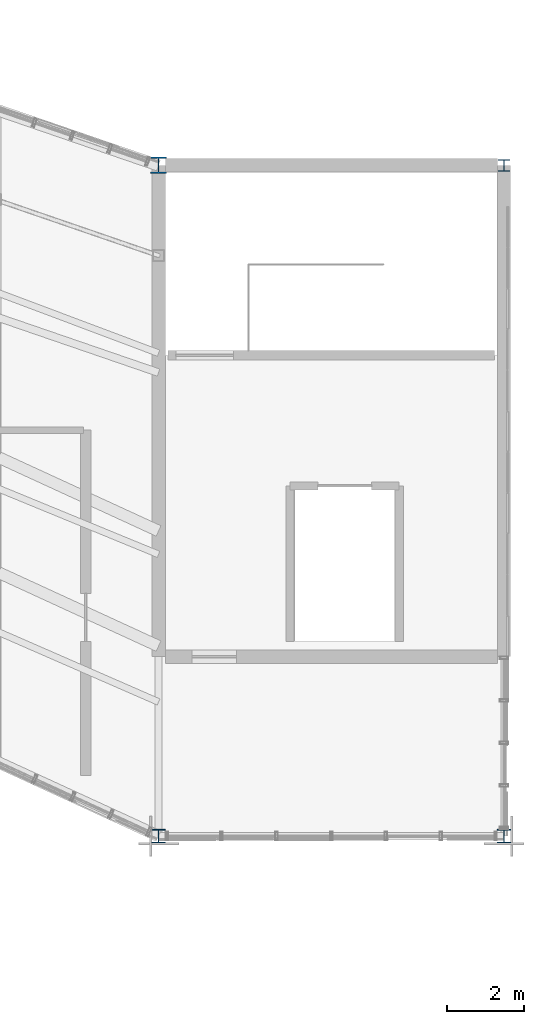
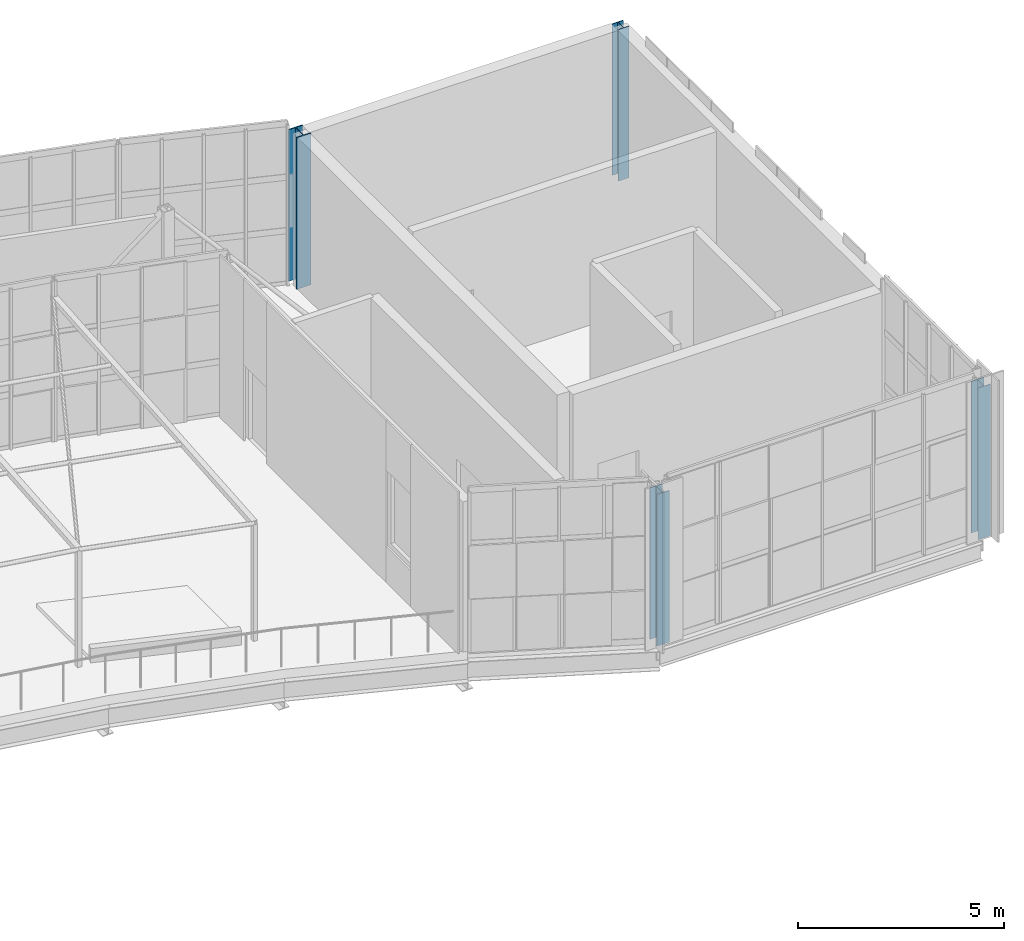
# One storey, part 2 of 35: 4 columns.
"""IFC4 building model written with IfcOpenShell, lengths in metres."""

from ifc_helpers import new_model, si_unit, direction, frame, origin, origin_2d, place, context, subcontext, project, spatial, i_section, extrude, material, material_profile, profile_set, type_object, element, save


model = new_model("IFC4")

# Units and contexts
model_context = context("Model", 3, precision=1e-05, world=origin(), true_north=direction((0.0, 1.0)))
body_context = subcontext(model_context, "Body", "Model", "MODEL_VIEW")
ifc_project = project(units=[si_unit("LENGTHUNIT", "METRE"), si_unit("AREAUNIT", "SQUARE_METRE"), si_unit("VOLUMEUNIT", "CUBIC_METRE"), si_unit("PLANEANGLEUNIT", "RADIAN"), si_unit("MASSUNIT", "GRAM", prefix="KILO")], contexts=[model_context])

# Site, building, storey
site_placement = place(None, origin())
site = spatial("IfcSite", under=ifc_project, at=site_placement, CompositionType="ELEMENT")
building_placement = place(site_placement, origin())
building = spatial("IfcBuilding", under=site, at=building_placement, Name="Solvikara Media Centre", CompositionType="ELEMENT")
storey_placement = place(building_placement, frame((0.0, 0.0, 29.39990234375)))
storey = spatial("IfcBuildingStorey", under=building, at=storey_placement, Name="L06", CompositionType="ELEMENT", Elevation=29.39990234375)

# Columns
ifc_material = material(Name="Steel S355JR", Category="steel")
ifc_material_profile_1 = material_profile(ifc_material, i_section(OverallWidth=0.406982421875, OverallDepth=0.427978515625, WebThickness=0.02001953125, FlangeThickness=0.034912109375, at=origin_2d()), Name="H 428x407x20x35")
ifc_profile_set_1 = profile_set([ifc_material_profile_1], Name="Steel S355JR")
column_type_1 = type_object("IfcColumnType", Name="CL-20", PredefinedType="COLUMN", material=ifc_profile_set_1)
column_1_placement = place(storey_placement, frame((127.5, 36.800048828125, 0.0), z_axis=(0.0, 0.0, 1.0), x_axis=(1.0, 0.0, 0.0)))
element("IfcColumn", 1, at=column_1_placement, inside=storey, type_object=column_type_1, Name="C-L06-1275-0368", PredefinedType="COLUMN", context=body_context, shape_type="SweptSolid", body=[
    extrude(i_section(OverallWidth=0.406982421875, OverallDepth=0.427978515625, WebThickness=0.02001953125, FlangeThickness=0.034912109375, at=origin_2d()), origin(), (0.0, 0.0, 1.0), 4.489990234375),
])
ifc_material_profile_2 = material_profile(ifc_material, i_section(OverallWidth=0.35009765625, OverallDepth=0.35009765625, WebThickness=0.011962890625, FlangeThickness=0.01904296875, at=origin_2d()), Name="H 350x350x12x19")
ifc_profile_set_2 = profile_set([ifc_material_profile_2], Name="Steel S355JR")
column_type_2 = type_object("IfcColumnType", Name="CL-21", PredefinedType="COLUMN", material=ifc_profile_set_2)
for number, where, z_axis, x_axis, name in (
    (2, (136.5, 19.323974609375, 0.0), (0.0, 0.0, 1.0), (1.0, 0.0, 0.0), "C-L06-1365-0193"),
    (3, (127.5, 19.323974609375, 0.0), (0.0, 0.0, 1.0), (1.0, 0.0, 0.0), "C-L06-1275-0193"),
):
    element("IfcColumn", number, at=place(storey_placement, frame(where, z_axis=z_axis, x_axis=x_axis)), inside=storey, type_object=column_type_2, Name=name, PredefinedType="COLUMN", context=body_context, shape_type="SweptSolid", body=[
        extrude(i_section(OverallWidth=0.35009765625, OverallDepth=0.35009765625, WebThickness=0.011962890625, FlangeThickness=0.01904296875, at=origin_2d()), origin(), (0.0, 0.0, 1.0), 4.489990234375),
    ])
ifc_material_profile_3 = material_profile(ifc_material, i_section(OverallWidth=0.300048828125, OverallDepth=0.300048828125, WebThickness=0.010009765625, FlangeThickness=0.014892578125, at=origin_2d()), Name="H 300x300x10x15")
ifc_profile_set_3 = profile_set([ifc_material_profile_3], Name="Steel S355JR")
column_type_3 = type_object("IfcColumnType", Name="CL-22", PredefinedType="COLUMN", material=ifc_profile_set_3)
column_2_placement = place(storey_placement, frame((136.5, 36.800048828125, 0.0), z_axis=(0.0, 0.0, 1.0), x_axis=(1.0, 0.0, 0.0)))
element("IfcColumn", 4, at=column_2_placement, inside=storey, type_object=column_type_3, Name="C-L06-1365-0368", PredefinedType="COLUMN", context=body_context, shape_type="SweptSolid", body=[
    extrude(i_section(OverallWidth=0.300048828125, OverallDepth=0.300048828125, WebThickness=0.010009765625, FlangeThickness=0.014892578125, at=origin_2d()), origin(), (0.0, 0.0, 1.0), 4.489990234375),
])

save(model, "model.ifc")
